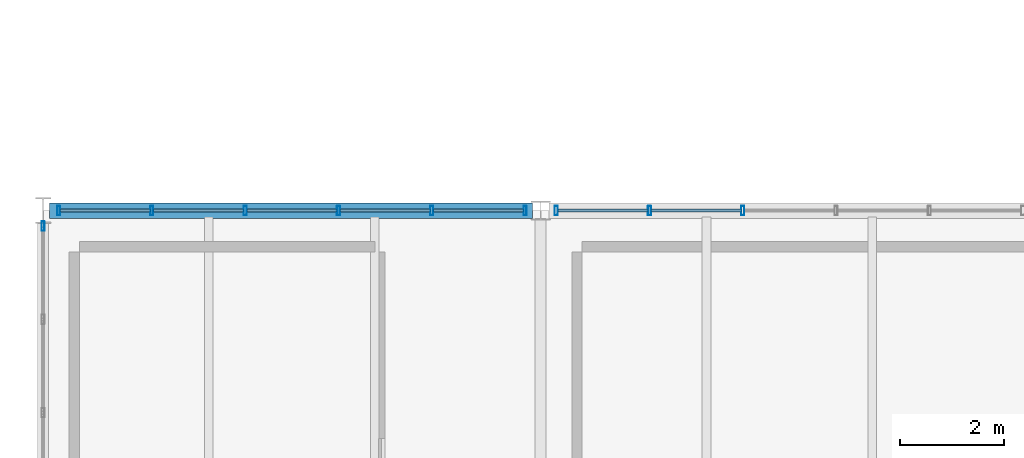
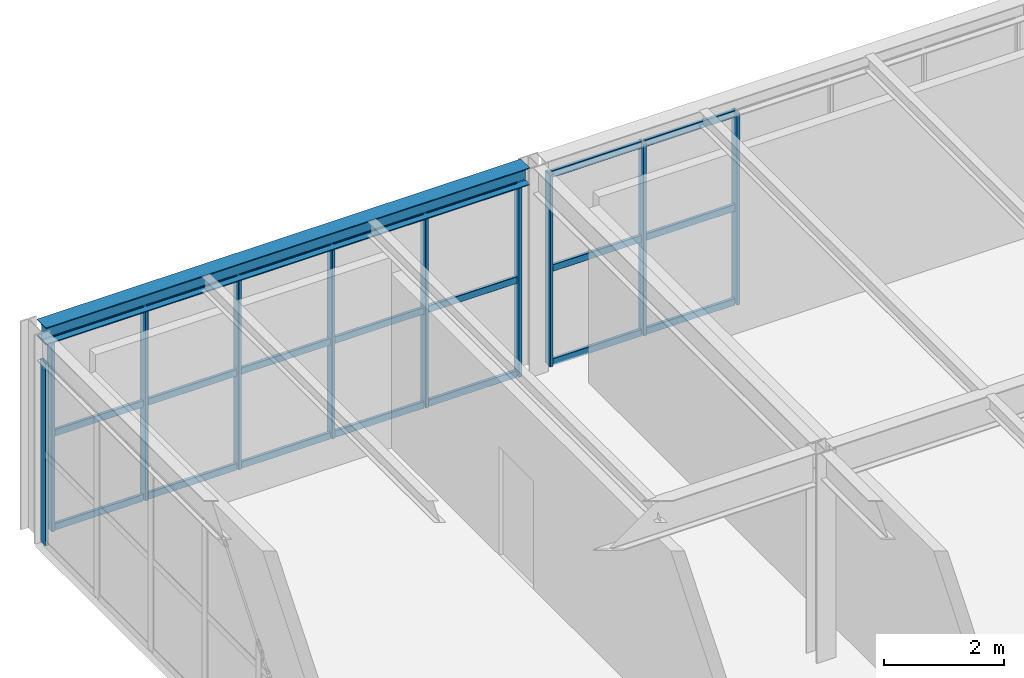
# One storey, part 46 of 170: 31 members, 1 beam, 3 elements without a shape of their own.
"""IFC4 building model written with IfcOpenShell, lengths in metres."""

from ifc_helpers import new_model, si_unit, direction, frame, origin, origin_2d, place, context, subcontext, project, spatial, hollow_rectangle, i_section, extrude, material, material_profile, profile_set, type_object, element, aggregate, save


model = new_model("IFC4")

# Units and contexts
model_context = context("Model", 3, precision=1e-05, world=origin(), true_north=direction((0.0, 1.0)))
body_context = subcontext(model_context, "Body", "Model", "MODEL_VIEW")
ifc_project = project(units=[si_unit("LENGTHUNIT", "METRE"), si_unit("AREAUNIT", "SQUARE_METRE"), si_unit("VOLUMEUNIT", "CUBIC_METRE"), si_unit("PLANEANGLEUNIT", "RADIAN"), si_unit("MASSUNIT", "GRAM", prefix="KILO")], contexts=[model_context])

# Site, building, storey
site_placement = place(None, origin())
site = spatial("IfcSite", under=ifc_project, at=site_placement, CompositionType="ELEMENT")
building_placement = place(site_placement, origin())
building = spatial("IfcBuilding", under=site, at=building_placement, Name="Coralgate Yard Interchange", CompositionType="ELEMENT")
storey_placement = place(building_placement, frame((0.0, 0.0, 6.0)))
storey = spatial("IfcBuildingStorey", under=building, at=storey_placement, Name="L01", CompositionType="ELEMENT", Elevation=6.0)

# Beam
ifc_material_1 = material(Name="Structural steel S355J2", Category="steel")
ifc_material_profile_1 = material_profile(ifc_material_1, i_section(OverallWidth=0.300048828125, OverallDepth=0.35009765625, WebThickness=0.010009765625, FlangeThickness=0.017578125, FilletRadius=0.027099609375, at=origin_2d()), Name="HEA 360")
ifc_profile_set_1 = profile_set([ifc_material_profile_1], Name="Structural steel S355J2")
beam_type = type_object("IfcBeamType", Name="BM-SP-1", PredefinedType="SPANDREL", material=ifc_profile_set_1)
beam_placement = place(storey_placement, frame((0.1201171875, 57.60009765625, 4.074951171875), z_axis=(1.0, 0.0, 0.0), x_axis=(0.0, 1.0, 0.0)))
element("IfcBeam", 1, at=beam_placement, inside=storey, type_object=beam_type, Name="L01 primary grid beam Y6 X0-1", PredefinedType="SPANDREL", context=body_context, shape_type="SweptSolid", body=[
    extrude(i_section(OverallWidth=0.300048828125, OverallDepth=0.35009765625, WebThickness=0.010009765625, FlangeThickness=0.017578125, FilletRadius=0.027099609375, at=origin_2d()), origin(), (0.0, 0.0, 1.0), 9.323486328125),
])

# Curtain wall, member
ifc_material_2 = material(Name="Anodised coastal aluminium and solar-control low-E glass", Category="aluminium")
curtain_wall_type_1 = type_object("IfcCurtainWallType", Name="CW-CW-L01-A", PredefinedType="NOTDEFINED", material=ifc_material_2)
curtain_wall_1_placement = place(storey_placement, origin())
curtain_wall_1 = element("IfcCurtainWall", 2, at=curtain_wall_1_placement, inside=storey, type_object=curtain_wall_type_1, Name="L01 unitised curtain wall CW-L01-W-00-05", PredefinedType="NOTDEFINED")
ifc_material_3 = material(Name="Anodised coastal aluminium 6063-T6", Category="aluminium")
ifc_material_profile_2 = material_profile(ifc_material_3, hollow_rectangle(XDim=0.06005859375, YDim=0.179931640625, WallThickness=0.00390625, InnerFilletRadius=0.00390625, OuterFilletRadius=0.008056640625, at=origin_2d()), Name="ALU 60x180x4")
ifc_profile_set_2 = profile_set([ifc_material_profile_2], Name="Anodised coastal aluminium 6063-T6")
member_type_1 = type_object("IfcMemberType", Name="MB-MUL-180", PredefinedType="MULLION", material=ifc_profile_set_2)
member_1_placement = place(storey_placement, frame((0.0, 57.300048828125, 0.0), z_axis=(0.0, 0.0, 1.0), x_axis=(1.0, 0.0, 0.0)))
member_1 = element("IfcMember", 3, at=member_1_placement, type_object=member_type_1, Name="CW-L01-W-00-05 vertical mullion 6", PredefinedType="MULLION", context=body_context, shape_type="SweptSolid", body=[
    extrude(hollow_rectangle(XDim=0.06005859375, YDim=0.179931640625, WallThickness=0.00390625, InnerFilletRadius=0.00390625, OuterFilletRadius=0.008056640625, at=origin_2d()), origin(), (0.0, 0.0, 1.0), 3.716796875),
])
aggregate(curtain_wall_1, [member_1])

# Curtain wall, members
curtain_wall_type_2 = type_object("IfcCurtainWallType", Name="CW-CW-L01-B", PredefinedType="NOTDEFINED", material=ifc_material_2)
curtain_wall_2_placement = place(storey_placement, origin())
curtain_wall_2 = element("IfcCurtainWall", 4, at=curtain_wall_2_placement, inside=storey, type_object=curtain_wall_type_2, Name="L01 unitised curtain wall CW-L01-N-00-05", PredefinedType="NOTDEFINED")
member_2_placement = place(storey_placement, frame((0.300048828125, 57.60009765625, 0.0), z_axis=(0.0, 0.0, 1.0), x_axis=(1.0, 0.0, 0.0)))
member_2 = element("IfcMember", 5, at=member_2_placement, type_object=member_type_1, Name="CW-L01-N-00-05 vertical mullion 1", PredefinedType="MULLION", context=body_context, shape_type="SweptSolid", body=[
    extrude(hollow_rectangle(XDim=0.06005859375, YDim=0.179931640625, WallThickness=0.00390625, InnerFilletRadius=0.00390625, OuterFilletRadius=0.008056640625, at=origin_2d()), origin(), (0.0, 0.0, 1.0), 3.89990234375),
])
member_3_placement = place(storey_placement, frame((2.10009765625, 57.60009765625, 0.0), z_axis=(0.0, 0.0, 1.0), x_axis=(1.0, 0.0, 0.0)))
member_3 = element("IfcMember", 6, at=member_3_placement, type_object=member_type_1, Name="CW-L01-N-00-05 vertical mullion 2", PredefinedType="MULLION", context=body_context, shape_type="SweptSolid", body=[
    extrude(hollow_rectangle(XDim=0.06005859375, YDim=0.179931640625, WallThickness=0.00390625, InnerFilletRadius=0.00390625, OuterFilletRadius=0.008056640625, at=origin_2d()), origin(), (0.0, 0.0, 1.0), 3.89990234375),
])
member_4_placement = place(storey_placement, frame((3.89990234375, 57.60009765625, 0.0), z_axis=(0.0, 0.0, 1.0), x_axis=(1.0, 0.0, 0.0)))
member_4 = element("IfcMember", 7, at=member_4_placement, type_object=member_type_1, Name="CW-L01-N-00-05 vertical mullion 3", PredefinedType="MULLION", context=body_context, shape_type="SweptSolid", body=[
    extrude(hollow_rectangle(XDim=0.06005859375, YDim=0.179931640625, WallThickness=0.00390625, InnerFilletRadius=0.00390625, OuterFilletRadius=0.008056640625, at=origin_2d()), origin(), (0.0, 0.0, 1.0), 3.89990234375),
])
member_5_placement = place(storey_placement, frame((5.699951171875, 57.60009765625, 0.0), z_axis=(0.0, 0.0, 1.0), x_axis=(1.0, 0.0, 0.0)))
member_5 = element("IfcMember", 8, at=member_5_placement, type_object=member_type_1, Name="CW-L01-N-00-05 vertical mullion 4", PredefinedType="MULLION", context=body_context, shape_type="SweptSolid", body=[
    extrude(hollow_rectangle(XDim=0.06005859375, YDim=0.179931640625, WallThickness=0.00390625, InnerFilletRadius=0.00390625, OuterFilletRadius=0.008056640625, at=origin_2d()), origin(), (0.0, 0.0, 1.0), 3.89990234375),
])
member_6_placement = place(storey_placement, frame((7.5, 57.60009765625, 0.0), z_axis=(0.0, 0.0, 1.0), x_axis=(1.0, 0.0, 0.0)))
member_6 = element("IfcMember", 9, at=member_6_placement, type_object=member_type_1, Name="CW-L01-N-00-05 vertical mullion 5", PredefinedType="MULLION", context=body_context, shape_type="SweptSolid", body=[
    extrude(hollow_rectangle(XDim=0.06005859375, YDim=0.179931640625, WallThickness=0.00390625, InnerFilletRadius=0.00390625, OuterFilletRadius=0.008056640625, at=origin_2d()), origin(), (0.0, 0.0, 1.0), 3.89990234375),
])
member_7_placement = place(storey_placement, frame((9.300048828125, 57.60009765625, 0.0), z_axis=(0.0, 0.0, 1.0), x_axis=(1.0, 0.0, 0.0)))
member_7 = element("IfcMember", 10, at=member_7_placement, type_object=member_type_1, Name="CW-L01-N-00-05 vertical mullion 6", PredefinedType="MULLION", context=body_context, shape_type="SweptSolid", body=[
    extrude(hollow_rectangle(XDim=0.06005859375, YDim=0.179931640625, WallThickness=0.00390625, InnerFilletRadius=0.00390625, OuterFilletRadius=0.008056640625, at=origin_2d()), origin(), (0.0, 0.0, 1.0), 3.89990234375),
])

curtain_wall_3_placement = place(storey_placement, origin())
curtain_wall_3 = element("IfcCurtainWall", 11, at=curtain_wall_3_placement, inside=storey, type_object=curtain_wall_type_2, Name="L01 unitised curtain wall CW-L01-N-01-05", PredefinedType="NOTDEFINED")
member_8_placement = place(storey_placement, frame((9.89990234375, 57.60009765625, 0.0), z_axis=(0.0, 0.0, 1.0), x_axis=(1.0, 0.0, 0.0)))
member_8 = element("IfcMember", 12, at=member_8_placement, type_object=member_type_1, Name="CW-L01-N-01-05 vertical mullion 1", PredefinedType="MULLION", context=body_context, shape_type="SweptSolid", body=[
    extrude(hollow_rectangle(XDim=0.06005859375, YDim=0.179931640625, WallThickness=0.00390625, InnerFilletRadius=0.00390625, OuterFilletRadius=0.008056640625, at=origin_2d()), origin(), (0.0, 0.0, 1.0), 3.89990234375),
])
member_9_placement = place(storey_placement, frame((11.699951171875, 57.60009765625, 0.0), z_axis=(0.0, 0.0, 1.0), x_axis=(1.0, 0.0, 0.0)))
member_9 = element("IfcMember", 13, at=member_9_placement, type_object=member_type_1, Name="CW-L01-N-01-05 vertical mullion 2", PredefinedType="MULLION", context=body_context, shape_type="SweptSolid", body=[
    extrude(hollow_rectangle(XDim=0.06005859375, YDim=0.179931640625, WallThickness=0.00390625, InnerFilletRadius=0.00390625, OuterFilletRadius=0.008056640625, at=origin_2d()), origin(), (0.0, 0.0, 1.0), 3.89990234375),
])
member_10_placement = place(storey_placement, frame((13.5, 57.60009765625, 0.0), z_axis=(0.0, 0.0, 1.0), x_axis=(1.0, 0.0, 0.0)))
member_10 = element("IfcMember", 14, at=member_10_placement, type_object=member_type_1, Name="CW-L01-N-01-05 vertical mullion 3", PredefinedType="MULLION", context=body_context, shape_type="SweptSolid", body=[
    extrude(hollow_rectangle(XDim=0.06005859375, YDim=0.179931640625, WallThickness=0.00390625, InnerFilletRadius=0.00390625, OuterFilletRadius=0.008056640625, at=origin_2d()), origin(), (0.0, 0.0, 1.0), 3.89990234375),
])

# Member
ifc_material_profile_3 = material_profile(ifc_material_3, hollow_rectangle(XDim=0.06005859375, YDim=0.139892578125, WallThickness=0.00341796875, InnerFilletRadius=0.00341796875, OuterFilletRadius=0.007080078125, at=origin_2d()), Name="ALU 60x140x3.5")
ifc_profile_set_3 = profile_set([ifc_material_profile_3], Name="Anodised coastal aluminium 6063-T6")
member_type_2 = type_object("IfcMemberType", Name="MB-TRN-140", PredefinedType="USERDEFINED", material=ifc_profile_set_3)
member_11_placement = place(storey_placement, frame((0.330078125, 57.60009765625, 0.034912109375), z_axis=(1.0, 0.0, 0.0), x_axis=(0.0, 1.0, 0.0)))
member_11 = element("IfcMember", 15, at=member_11_placement, type_object=member_type_2, Name="CW-L01-N-00-05 horizontal transom 1-1", ObjectType="TRANSOM", PredefinedType="USERDEFINED", context=body_context, shape_type="SweptSolid", body=[
    extrude(hollow_rectangle(XDim=0.06005859375, YDim=0.139892578125, WallThickness=0.00341796875, InnerFilletRadius=0.00341796875, OuterFilletRadius=0.007080078125, at=origin_2d()), origin(), (0.0, 0.0, 1.0), 1.739990234375),
])

member_12_placement = place(storey_placement, frame((0.330078125, 57.60009765625, 1.949951171875), z_axis=(1.0, 0.0, 0.0), x_axis=(0.0, 1.0, 0.0)))
member_12 = element("IfcMember", 16, at=member_12_placement, type_object=member_type_2, Name="CW-L01-N-00-05 horizontal transom 1-2", ObjectType="TRANSOM", PredefinedType="USERDEFINED", context=body_context, shape_type="SweptSolid", body=[
    extrude(hollow_rectangle(XDim=0.06005859375, YDim=0.139892578125, WallThickness=0.00341796875, InnerFilletRadius=0.00341796875, OuterFilletRadius=0.007080078125, at=origin_2d()), origin(), (0.0, 0.0, 1.0), 1.739990234375),
])

member_13_placement = place(storey_placement, frame((0.330078125, 57.60009765625, 3.864990234375), z_axis=(1.0, 0.0, 0.0), x_axis=(0.0, 1.0, 0.0)))
member_13 = element("IfcMember", 17, at=member_13_placement, type_object=member_type_2, Name="CW-L01-N-00-05 horizontal transom 1-3", ObjectType="TRANSOM", PredefinedType="USERDEFINED", context=body_context, shape_type="SweptSolid", body=[
    extrude(hollow_rectangle(XDim=0.06005859375, YDim=0.139892578125, WallThickness=0.00341796875, InnerFilletRadius=0.00341796875, OuterFilletRadius=0.007080078125, at=origin_2d()), origin(), (0.0, 0.0, 1.0), 1.739990234375),
])

member_14_placement = place(storey_placement, frame((2.1298828125, 57.60009765625, 0.034912109375), z_axis=(1.0, 0.0, 0.0), x_axis=(0.0, 1.0, 0.0)))
member_14 = element("IfcMember", 18, at=member_14_placement, type_object=member_type_2, Name="CW-L01-N-00-05 horizontal transom 2-1", ObjectType="TRANSOM", PredefinedType="USERDEFINED", context=body_context, shape_type="SweptSolid", body=[
    extrude(hollow_rectangle(XDim=0.06005859375, YDim=0.139892578125, WallThickness=0.00341796875, InnerFilletRadius=0.00341796875, OuterFilletRadius=0.007080078125, at=origin_2d()), origin(), (0.0, 0.0, 1.0), 1.740234375),
])

member_15_placement = place(storey_placement, frame((2.1298828125, 57.60009765625, 1.949951171875), z_axis=(1.0, 0.0, 0.0), x_axis=(0.0, 1.0, 0.0)))
member_15 = element("IfcMember", 19, at=member_15_placement, type_object=member_type_2, Name="CW-L01-N-00-05 horizontal transom 2-2", ObjectType="TRANSOM", PredefinedType="USERDEFINED", context=body_context, shape_type="SweptSolid", body=[
    extrude(hollow_rectangle(XDim=0.06005859375, YDim=0.139892578125, WallThickness=0.00341796875, InnerFilletRadius=0.00341796875, OuterFilletRadius=0.007080078125, at=origin_2d()), origin(), (0.0, 0.0, 1.0), 1.740234375),
])

member_16_placement = place(storey_placement, frame((2.1298828125, 57.60009765625, 3.864990234375), z_axis=(1.0, 0.0, 0.0), x_axis=(0.0, 1.0, 0.0)))
member_16 = element("IfcMember", 20, at=member_16_placement, type_object=member_type_2, Name="CW-L01-N-00-05 horizontal transom 2-3", ObjectType="TRANSOM", PredefinedType="USERDEFINED", context=body_context, shape_type="SweptSolid", body=[
    extrude(hollow_rectangle(XDim=0.06005859375, YDim=0.139892578125, WallThickness=0.00341796875, InnerFilletRadius=0.00341796875, OuterFilletRadius=0.007080078125, at=origin_2d()), origin(), (0.0, 0.0, 1.0), 1.740234375),
])

member_17_placement = place(storey_placement, frame((3.929931640625, 57.60009765625, 0.034912109375), z_axis=(1.0, 0.0, 0.0), x_axis=(0.0, 1.0, 0.0)))
member_17 = element("IfcMember", 21, at=member_17_placement, type_object=member_type_2, Name="CW-L01-N-00-05 horizontal transom 3-1", ObjectType="TRANSOM", PredefinedType="USERDEFINED", context=body_context, shape_type="SweptSolid", body=[
    extrude(hollow_rectangle(XDim=0.06005859375, YDim=0.139892578125, WallThickness=0.00341796875, InnerFilletRadius=0.00341796875, OuterFilletRadius=0.007080078125, at=origin_2d()), origin(), (0.0, 0.0, 1.0), 1.739990234375),
])

member_18_placement = place(storey_placement, frame((3.929931640625, 57.60009765625, 1.949951171875), z_axis=(1.0, 0.0, 0.0), x_axis=(0.0, 1.0, 0.0)))
member_18 = element("IfcMember", 22, at=member_18_placement, type_object=member_type_2, Name="CW-L01-N-00-05 horizontal transom 3-2", ObjectType="TRANSOM", PredefinedType="USERDEFINED", context=body_context, shape_type="SweptSolid", body=[
    extrude(hollow_rectangle(XDim=0.06005859375, YDim=0.139892578125, WallThickness=0.00341796875, InnerFilletRadius=0.00341796875, OuterFilletRadius=0.007080078125, at=origin_2d()), origin(), (0.0, 0.0, 1.0), 1.739990234375),
])

member_19_placement = place(storey_placement, frame((3.929931640625, 57.60009765625, 3.864990234375), z_axis=(1.0, 0.0, 0.0), x_axis=(0.0, 1.0, 0.0)))
member_19 = element("IfcMember", 23, at=member_19_placement, type_object=member_type_2, Name="CW-L01-N-00-05 horizontal transom 3-3", ObjectType="TRANSOM", PredefinedType="USERDEFINED", context=body_context, shape_type="SweptSolid", body=[
    extrude(hollow_rectangle(XDim=0.06005859375, YDim=0.139892578125, WallThickness=0.00341796875, InnerFilletRadius=0.00341796875, OuterFilletRadius=0.007080078125, at=origin_2d()), origin(), (0.0, 0.0, 1.0), 1.739990234375),
])

member_20_placement = place(storey_placement, frame((5.72998046875, 57.60009765625, 0.034912109375), z_axis=(1.0, 0.0, 0.0), x_axis=(0.0, 1.0, 0.0)))
member_20 = element("IfcMember", 24, at=member_20_placement, type_object=member_type_2, Name="CW-L01-N-00-05 horizontal transom 4-1", ObjectType="TRANSOM", PredefinedType="USERDEFINED", context=body_context, shape_type="SweptSolid", body=[
    extrude(hollow_rectangle(XDim=0.06005859375, YDim=0.139892578125, WallThickness=0.00341796875, InnerFilletRadius=0.00341796875, OuterFilletRadius=0.007080078125, at=origin_2d()), origin(), (0.0, 0.0, 1.0), 1.739990234375),
])

member_21_placement = place(storey_placement, frame((5.72998046875, 57.60009765625, 1.949951171875), z_axis=(1.0, 0.0, 0.0), x_axis=(0.0, 1.0, 0.0)))
member_21 = element("IfcMember", 25, at=member_21_placement, type_object=member_type_2, Name="CW-L01-N-00-05 horizontal transom 4-2", ObjectType="TRANSOM", PredefinedType="USERDEFINED", context=body_context, shape_type="SweptSolid", body=[
    extrude(hollow_rectangle(XDim=0.06005859375, YDim=0.139892578125, WallThickness=0.00341796875, InnerFilletRadius=0.00341796875, OuterFilletRadius=0.007080078125, at=origin_2d()), origin(), (0.0, 0.0, 1.0), 1.739990234375),
])

member_22_placement = place(storey_placement, frame((5.72998046875, 57.60009765625, 3.864990234375), z_axis=(1.0, 0.0, 0.0), x_axis=(0.0, 1.0, 0.0)))
member_22 = element("IfcMember", 26, at=member_22_placement, type_object=member_type_2, Name="CW-L01-N-00-05 horizontal transom 4-3", ObjectType="TRANSOM", PredefinedType="USERDEFINED", context=body_context, shape_type="SweptSolid", body=[
    extrude(hollow_rectangle(XDim=0.06005859375, YDim=0.139892578125, WallThickness=0.00341796875, InnerFilletRadius=0.00341796875, OuterFilletRadius=0.007080078125, at=origin_2d()), origin(), (0.0, 0.0, 1.0), 1.739990234375),
])

member_23_placement = place(storey_placement, frame((7.530029296875, 57.60009765625, 0.034912109375), z_axis=(1.0, 0.0, 0.0), x_axis=(0.0, 1.0, 0.0)))
member_23 = element("IfcMember", 27, at=member_23_placement, type_object=member_type_2, Name="CW-L01-N-00-05 horizontal transom 5-1", ObjectType="TRANSOM", PredefinedType="USERDEFINED", context=body_context, shape_type="SweptSolid", body=[
    extrude(hollow_rectangle(XDim=0.06005859375, YDim=0.139892578125, WallThickness=0.00341796875, InnerFilletRadius=0.00341796875, OuterFilletRadius=0.007080078125, at=origin_2d()), origin(), (0.0, 0.0, 1.0), 1.739990234375),
])

member_24_placement = place(storey_placement, frame((7.530029296875, 57.60009765625, 1.949951171875), z_axis=(1.0, 0.0, 0.0), x_axis=(0.0, 1.0, 0.0)))
member_24 = element("IfcMember", 28, at=member_24_placement, type_object=member_type_2, Name="CW-L01-N-00-05 horizontal transom 5-2", ObjectType="TRANSOM", PredefinedType="USERDEFINED", context=body_context, shape_type="SweptSolid", body=[
    extrude(hollow_rectangle(XDim=0.06005859375, YDim=0.139892578125, WallThickness=0.00341796875, InnerFilletRadius=0.00341796875, OuterFilletRadius=0.007080078125, at=origin_2d()), origin(), (0.0, 0.0, 1.0), 1.739990234375),
])

member_25_placement = place(storey_placement, frame((7.530029296875, 57.60009765625, 3.864990234375), z_axis=(1.0, 0.0, 0.0), x_axis=(0.0, 1.0, 0.0)))
member_25 = element("IfcMember", 29, at=member_25_placement, type_object=member_type_2, Name="CW-L01-N-00-05 horizontal transom 5-3", ObjectType="TRANSOM", PredefinedType="USERDEFINED", context=body_context, shape_type="SweptSolid", body=[
    extrude(hollow_rectangle(XDim=0.06005859375, YDim=0.139892578125, WallThickness=0.00341796875, InnerFilletRadius=0.00341796875, OuterFilletRadius=0.007080078125, at=origin_2d()), origin(), (0.0, 0.0, 1.0), 1.739990234375),
])

aggregate(curtain_wall_2, [member_2, member_3, member_4, member_5, member_6, member_7, member_11, member_12, member_13, member_14, member_15, member_16, member_17, member_18, member_19, member_20, member_21, member_22, member_23, member_24, member_25])

member_26_placement = place(storey_placement, frame((9.929931640625, 57.60009765625, 0.034912109375), z_axis=(1.0, 0.0, 0.0), x_axis=(0.0, 1.0, 0.0)))
member_26 = element("IfcMember", 30, at=member_26_placement, type_object=member_type_2, Name="CW-L01-N-01-05 horizontal transom 1-1", ObjectType="TRANSOM", PredefinedType="USERDEFINED", context=body_context, shape_type="SweptSolid", body=[
    extrude(hollow_rectangle(XDim=0.06005859375, YDim=0.139892578125, WallThickness=0.00341796875, InnerFilletRadius=0.00341796875, OuterFilletRadius=0.007080078125, at=origin_2d()), origin(), (0.0, 0.0, 1.0), 1.739990234375),
])

member_27_placement = place(storey_placement, frame((9.929931640625, 57.60009765625, 1.949951171875), z_axis=(1.0, 0.0, 0.0), x_axis=(0.0, 1.0, 0.0)))
member_27 = element("IfcMember", 31, at=member_27_placement, type_object=member_type_2, Name="CW-L01-N-01-05 horizontal transom 1-2", ObjectType="TRANSOM", PredefinedType="USERDEFINED", context=body_context, shape_type="SweptSolid", body=[
    extrude(hollow_rectangle(XDim=0.06005859375, YDim=0.139892578125, WallThickness=0.00341796875, InnerFilletRadius=0.00341796875, OuterFilletRadius=0.007080078125, at=origin_2d()), origin(), (0.0, 0.0, 1.0), 1.739990234375),
])

member_28_placement = place(storey_placement, frame((9.929931640625, 57.60009765625, 3.864990234375), z_axis=(1.0, 0.0, 0.0), x_axis=(0.0, 1.0, 0.0)))
member_28 = element("IfcMember", 32, at=member_28_placement, type_object=member_type_2, Name="CW-L01-N-01-05 horizontal transom 1-3", ObjectType="TRANSOM", PredefinedType="USERDEFINED", context=body_context, shape_type="SweptSolid", body=[
    extrude(hollow_rectangle(XDim=0.06005859375, YDim=0.139892578125, WallThickness=0.00341796875, InnerFilletRadius=0.00341796875, OuterFilletRadius=0.007080078125, at=origin_2d()), origin(), (0.0, 0.0, 1.0), 1.739990234375),
])

member_29_placement = place(storey_placement, frame((11.72998046875, 57.60009765625, 0.034912109375), z_axis=(1.0, 0.0, 0.0), x_axis=(0.0, 1.0, 0.0)))
member_29 = element("IfcMember", 33, at=member_29_placement, type_object=member_type_2, Name="CW-L01-N-01-05 horizontal transom 2-1", ObjectType="TRANSOM", PredefinedType="USERDEFINED", context=body_context, shape_type="SweptSolid", body=[
    extrude(hollow_rectangle(XDim=0.06005859375, YDim=0.139892578125, WallThickness=0.00341796875, InnerFilletRadius=0.00341796875, OuterFilletRadius=0.007080078125, at=origin_2d()), origin(), (0.0, 0.0, 1.0), 1.739990234375),
])

member_30_placement = place(storey_placement, frame((11.72998046875, 57.60009765625, 1.949951171875), z_axis=(1.0, 0.0, 0.0), x_axis=(0.0, 1.0, 0.0)))
member_30 = element("IfcMember", 34, at=member_30_placement, type_object=member_type_2, Name="CW-L01-N-01-05 horizontal transom 2-2", ObjectType="TRANSOM", PredefinedType="USERDEFINED", context=body_context, shape_type="SweptSolid", body=[
    extrude(hollow_rectangle(XDim=0.06005859375, YDim=0.139892578125, WallThickness=0.00341796875, InnerFilletRadius=0.00341796875, OuterFilletRadius=0.007080078125, at=origin_2d()), origin(), (0.0, 0.0, 1.0), 1.739990234375),
])

member_31_placement = place(storey_placement, frame((11.72998046875, 57.60009765625, 3.864990234375), z_axis=(1.0, 0.0, 0.0), x_axis=(0.0, 1.0, 0.0)))
member_31 = element("IfcMember", 35, at=member_31_placement, type_object=member_type_2, Name="CW-L01-N-01-05 horizontal transom 2-3", ObjectType="TRANSOM", PredefinedType="USERDEFINED", context=body_context, shape_type="SweptSolid", body=[
    extrude(hollow_rectangle(XDim=0.06005859375, YDim=0.139892578125, WallThickness=0.00341796875, InnerFilletRadius=0.00341796875, OuterFilletRadius=0.007080078125, at=origin_2d()), origin(), (0.0, 0.0, 1.0), 1.739990234375),
])

aggregate(curtain_wall_3, [member_8, member_9, member_10, member_26, member_27, member_28, member_29, member_30, member_31])

save(model, "model.ifc")
